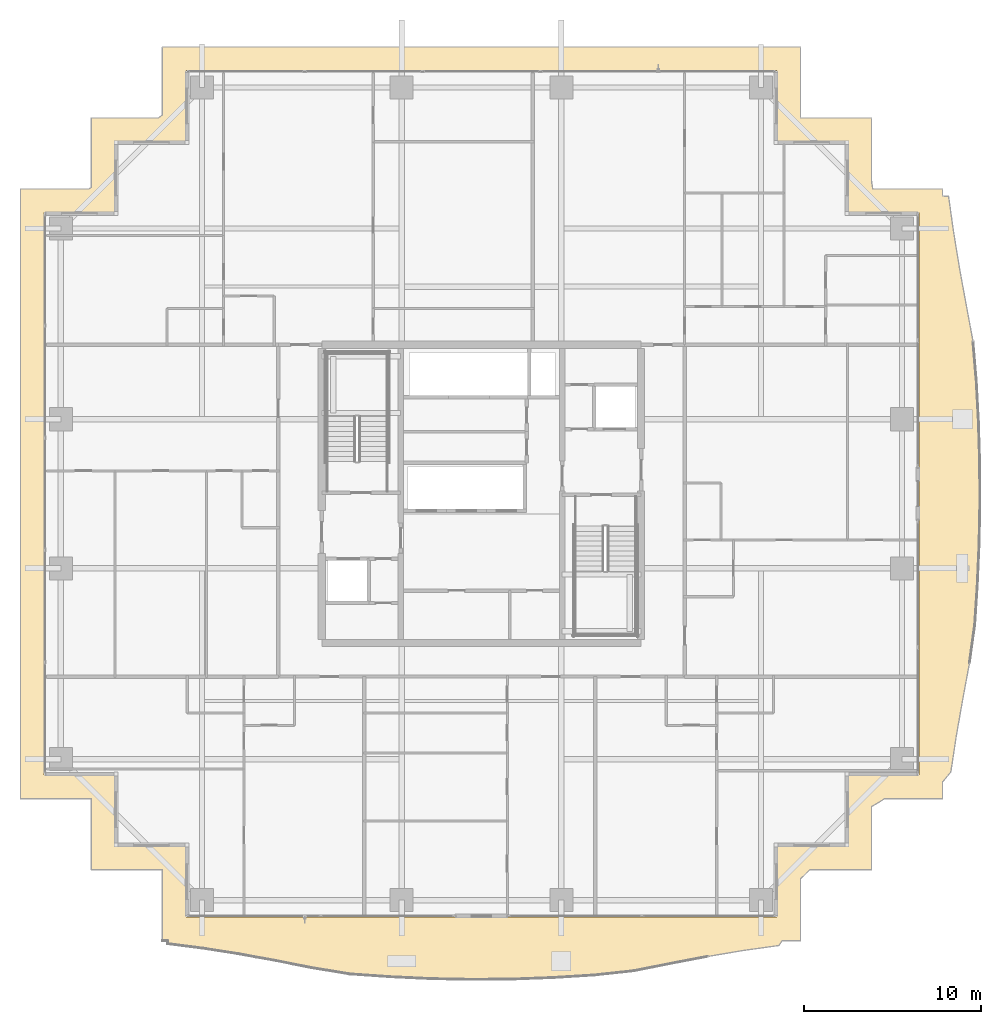
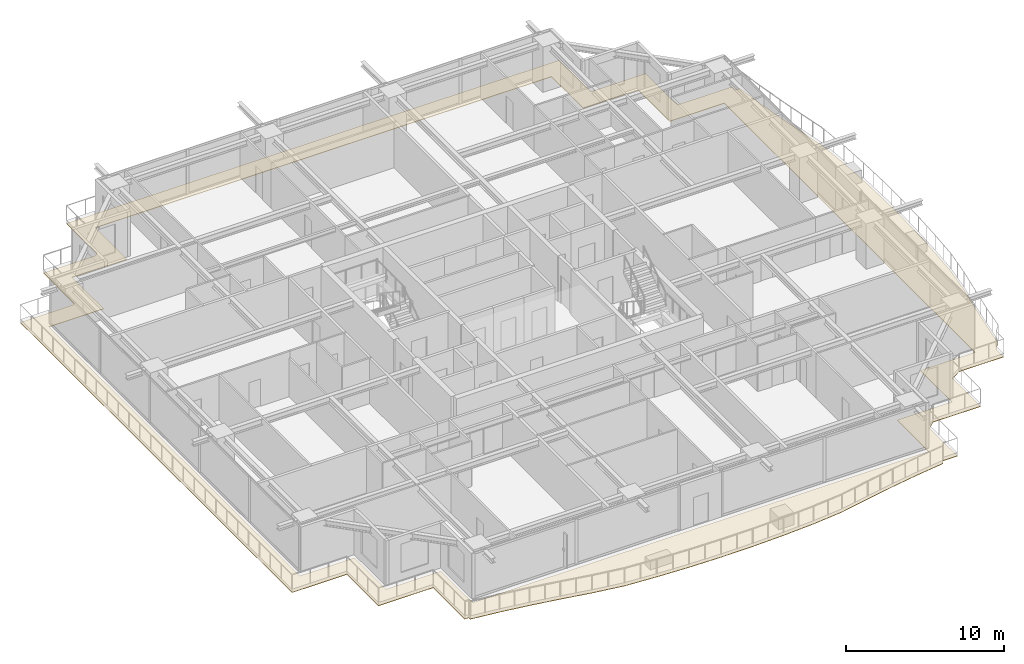
# One storey, part 33 of 35: 1 covering.
"""IFC4 building model written with IfcOpenShell, lengths in metres."""

from ifc_helpers import new_model, si_unit, direction, frame, origin, place, context, subcontext, project, spatial, polyline, outline, extrude, material, layer, layer_set, type_object, element, save


model = new_model("IFC4")

# Units and contexts
model_context = context("Model", 3, precision=1e-05, world=origin(), true_north=direction((0.0, 1.0)))
body_context = subcontext(model_context, "Body", "Model", "MODEL_VIEW")
ifc_project = project(units=[si_unit("LENGTHUNIT", "METRE"), si_unit("AREAUNIT", "SQUARE_METRE"), si_unit("VOLUMEUNIT", "CUBIC_METRE"), si_unit("PLANEANGLEUNIT", "RADIAN"), si_unit("MASSUNIT", "GRAM", prefix="KILO")], contexts=[model_context])

# Site, building, storey
site_placement = place(None, origin())
site = spatial("IfcSite", under=ifc_project, at=site_placement, CompositionType="ELEMENT")
building_placement = place(site_placement, origin())
building = spatial("IfcBuilding", under=site, at=building_placement, Name="Serunith Strait Residences", CompositionType="ELEMENT")
storey_placement = place(building_placement, frame((0.0, 0.0, 191.39990234375)))
storey = spatial("IfcBuildingStorey", under=building, at=storey_placement, Name="L48", CompositionType="ELEMENT", Elevation=191.39990234375)

# Covering
ifc_material = material(Name="Golden Teak Exterior Timber Boarding", Category="wood")
ifc_layer = layer(ifc_material, 0.034912109375, Name="Golden Teak Exterior Timber Boarding")
ifc_layer_set = layer_set([ifc_layer], Name="Golden Teak Exterior Timber Boarding")
covering_type = type_object("IfcCoveringType", Name="COV-TEAK-SOFFIT", PredefinedType="CEILING", material=ifc_layer_set)
covering_placement = place(storey_placement, frame((0.0, 0.0, -0.324951171875)))
element("IfcCovering", 1, at=covering_placement, inside=storey, type_object=covering_type, Name="L48 Golden-Teak Balcony Soffit Lining", PredefinedType="CEILING", context=body_context, shape_type="SweptSolid", body=[
    extrude(outline(polyline([(14.419921875, 0.02001953125), (14.419921875, 4.02001953125), (10.419921875, 4.02001953125), (10.419921875, 8.02001953125), (6.419921875, 8.02001953125), (6.419921875, 42.3798828125), (10.284912109375, 42.3798828125), (10.419921875, 42.47802734375), (10.419921875, 46.3798828125), (14.1982421875, 46.3798828125), (14.419921875, 46.55908203125), (14.419921875, 50.3798828125), (50.3798828125, 50.3798828125), (50.3798828125, 46.3798828125), (54.3798828125, 46.3798828125), (54.3798828125, 42.830322265625), (54.44677734375, 42.3798828125), (58.3798828125, 42.3798828125), (58.3798828125, 41.98291015625), (58.7216796875, 41.963134765625), (59.000732421875, 39.960205078125), (59.3330078125, 37.936767578125), (59.708984375, 35.875732421875), (60.1044921875, 33.759033203125), (60.293701171875, 31.531005859375), (60.413818359375, 29.26171875), (60.4833984375, 26.969482421875), (60.49560546875, 24.6669921875), (60.449462890625, 22.368408203125), (60.34912109375, 20.08740234375), (60.203857421875, 17.834716796875), (59.8994140625, 15.660888671875), (59.509521484375, 13.57373046875), (59.1533203125, 11.533203125), (58.847412109375, 9.521484375), (58.3798828125, 8.9716796875), (58.3798828125, 8.02001953125), (55.121826171875, 8.02001953125), (54.3798828125, 7.5751953125), (54.3798828125, 4.02001953125), (50.9091796875, 4.02001953125), (50.3798828125, 3.510986328125), (50.3798828125, 0.02001953125), (49.350830078125, 0.02001953125), (49.1552734375, -0.253662109375), (47.158203125, -0.5322265625), (45.1435546875, -0.87109375), (43.092529296875, -1.2626953125), (40.98486328125, -1.68408203125), (38.762939453125, -1.923583984375), (36.48583984375, -2.065185546875), (34.181396484375, -2.151123046875), (31.86328125, -2.1728515625), (29.548583984375, -2.1279296875), (27.253173828125, -2.02099609375), (24.989990234375, -1.863037109375), (22.823486328125, -1.50927734375), (20.7431640625, -1.096923828125), (18.710693359375, -0.726318359375), (16.705810546875, -0.41259765625), (14.712646484375, -0.158935546875), (14.714111328125, 0.02001953125), (14.419921875, 0.02001953125)]), holes=[polyline([(49.054931640625, 1.344970703125), (49.054931640625, 5.344970703125), (53.054931640625, 5.344970703125), (53.054931640625, 9.344970703125), (57.054931640625, 9.344970703125), (57.054931640625, 41.054931640625), (53.054931640625, 41.054931640625), (53.054931640625, 45.054931640625), (49.054931640625, 45.054931640625), (49.054931640625, 49.054931640625), (15.7451171875, 49.054931640625), (15.7451171875, 45.054931640625), (11.7451171875, 45.054931640625), (11.7451171875, 41.054931640625), (7.7451171875, 41.054931640625), (7.7451171875, 9.344970703125), (11.7451171875, 9.344970703125), (11.7451171875, 5.344970703125), (15.7451171875, 5.344970703125), (15.7451171875, 1.344970703125), (49.054931640625, 1.344970703125)])]), origin(), (0.0, 0.0, 1.0), 0.03515625),
])

save(model, "model.ifc")
